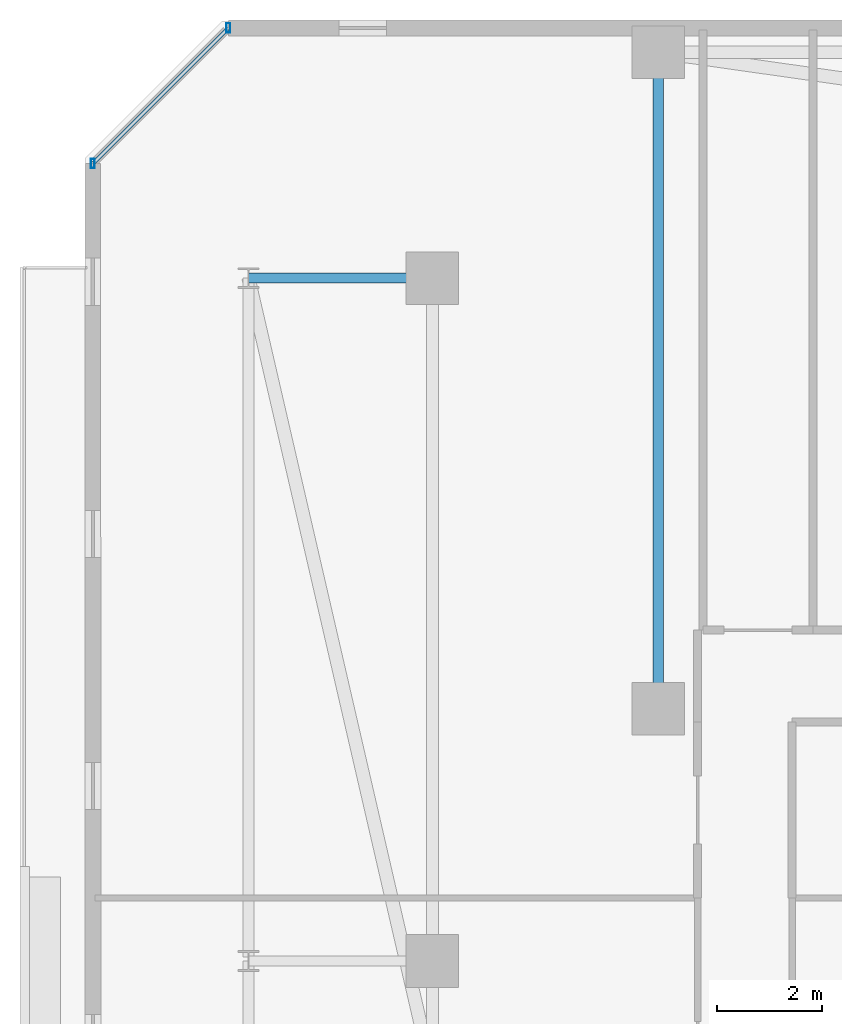
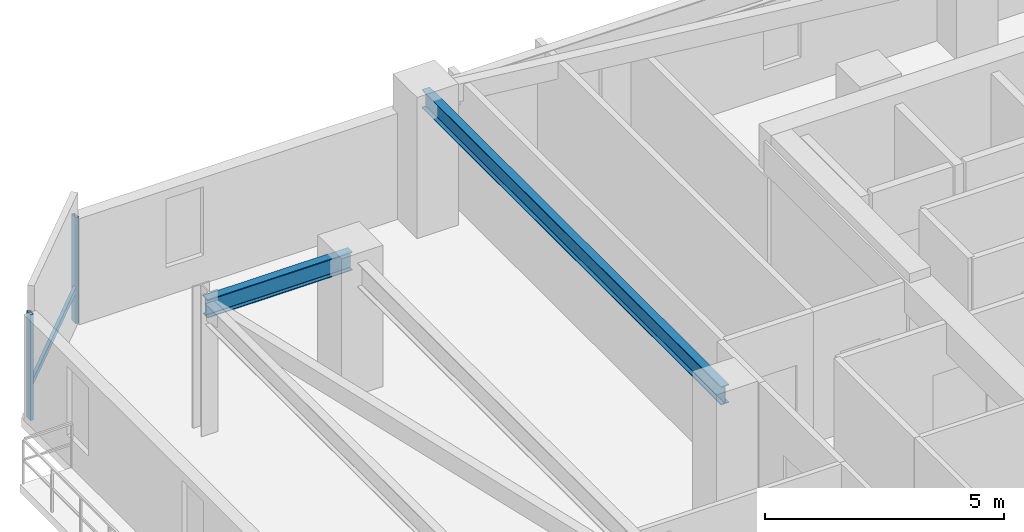
# One storey, part 7 of 32: 3 members, 2 beams, 1 element without a shape of its own.
"""IFC4 building model written with IfcOpenShell, lengths in metres."""

import ifcopenshell
import ifcopenshell.guid

model = None  # the IFC model being written
_history = None  # IfcOwnerHistory: only IFC2X3 demands one
_inside = {}  # id of a spatial element -> (the spatial element, [elements in it])
_under = {}  # id of a project, library or spatial element -> (it, [spatial elements below it])
_declared = {}  # id of a project -> (the project, [libraries it declares])
_typed = {}  # id of a type object -> (the type object, [elements of that type])
_made_of = {}  # id of a material, layer set ... -> (it, [elements and type objects made of it])


def new_model(schema):
    """Start an empty IFC model of exactly this schema.

    Asked for "IFC4X3", IfcOpenShell would pick the latest addendum, in which some entities
    have other attributes; the version numbers below select the first issue.
    IFC2X3 requires an IfcOwnerHistory on every rooted entity: one is made here for all.
    """
    global model, _history
    if schema == "IFC4X3":
        model = ifcopenshell.file(schema_version=(4, 3, 0, 0))
    else:
        model = ifcopenshell.file(schema=schema)
    _inside.clear()
    _under.clear()
    _declared.clear()
    _typed.clear()
    _made_of.clear()
    _history = None
    if model.schema == "IFC2X3":
        org = make("IfcOrganization", Name="unknown")
        user = make(
            "IfcPersonAndOrganization",
            ThePerson=make("IfcPerson", FamilyName="unknown"),
            TheOrganization=org,
        )
        app = make(
            "IfcApplication",
            ApplicationDeveloper=org,
            Version="unknown",
            ApplicationFullName="unknown",
            ApplicationIdentifier="unknown",
        )
        _history = make(
            "IfcOwnerHistory",
            OwningUser=user,
            OwningApplication=app,
            ChangeAction="ADDED",
            CreationDate=0,
        )
    return model


def make(cls, **values):
    """One entity of the class cls with the attributes given. An attribute that is None is left unset."""
    return model.create_entity(
        cls, **{name: value for name, value in values.items() if value is not None}
    )


def rooted(cls, **values):
    """An entity with a GlobalId (a new one), such as an element, a storey or a relation."""
    return make(cls, GlobalId=ifcopenshell.guid.new(), OwnerHistory=_history, **values)


def si_unit(unit_type, name, prefix=None):
    """IfcSIUnit, for example si_unit("LENGTHUNIT", "METRE", prefix="MILLI")."""
    return make("IfcSIUnit", UnitType=unit_type, Prefix=prefix, Name=name)


def assignment(units):
    """IfcUnitAssignment: the units of a project."""
    return None if units is None else make("IfcUnitAssignment", Units=units)


def point(xyz):
    """IfcCartesianPoint."""
    return None if xyz is None else make("IfcCartesianPoint", Coordinates=xyz)


def direction(xyz):
    """IfcDirection."""
    return None if xyz is None else make("IfcDirection", DirectionRatios=xyz)


def frame(location, z_axis=None, x_axis=None):
    """IfcAxis2Placement3D, a coordinate frame: its origin and axes. An axis left out is left unset."""
    return make(
        "IfcAxis2Placement3D",
        Location=point(location),
        Axis=direction(z_axis),
        RefDirection=direction(x_axis),
    )


def frame_2d(location, x_axis=None):
    """IfcAxis2Placement2D, a coordinate frame in the plane: its origin and x axis."""
    return make(
        "IfcAxis2Placement2D", Location=point(location), RefDirection=direction(x_axis)
    )


def origin():
    """The frame at (0, 0, 0) with its axes left unset."""
    return frame((0.0, 0.0, 0.0))


def origin_2d():
    """The frame at (0, 0) in the plane with its x axis left unset."""
    return frame_2d((0.0, 0.0))


def place(relative_to, where):
    """IfcLocalPlacement: puts the frame where relative to a parent placement (None: the world)."""
    return make(
        "IfcLocalPlacement", PlacementRelTo=relative_to, RelativePlacement=where
    )


def context(
    kind, dimensions, precision=None, world=None, true_north=None, identifier=None
):
    """IfcGeometricRepresentationContext, for example the 3D "Model" context."""
    return make(
        "IfcGeometricRepresentationContext",
        ContextIdentifier=identifier,
        ContextType=kind,
        CoordinateSpaceDimension=dimensions,
        Precision=precision,
        WorldCoordinateSystem=world,
        TrueNorth=true_north,
    )


def subcontext(parent, identifier, kind, view, scale=None):
    """IfcGeometricRepresentationSubContext, for example "Body" below "Model"."""
    return make(
        "IfcGeometricRepresentationSubContext",
        ContextIdentifier=identifier,
        ContextType=kind,
        ParentContext=parent,
        TargetScale=scale,
        TargetView=view,
    )


def project(units=None, contexts=None):
    """IfcProject with its units and contexts."""
    return rooted(
        "IfcProject",
        Name="project",
        RepresentationContexts=contexts,
        UnitsInContext=assignment(units),
    )


def spatial(cls, under=None, at=None, **own):
    """A site, building, storey or space (cls), placed at a placement, below another one or the project."""
    s = rooted(cls, ObjectPlacement=at, **own)
    if under is not None:
        _under.setdefault(under.id(), (under, []))[1].append(s)
    return s


def profile(cls, at=None, kind="AREA", **sizes):
    """A parametric profile (cls). Its sizes go by their IFC names, for example OverallWidth=200.0."""
    return make(cls, ProfileType=kind, Position=at, **sizes)


def hollow_rectangle(**sizes):
    """IfcRectangleHollowProfileDef."""
    return profile("IfcRectangleHollowProfileDef", **sizes)


def i_section(**sizes):
    """IfcIShapeProfileDef."""
    return profile("IfcIShapeProfileDef", **sizes)


def extrude(swept, where, along, depth):
    """IfcExtrudedAreaSolid: the profile swept, set in the frame where, extruded along a direction by depth."""
    return make(
        "IfcExtrudedAreaSolid",
        SweptArea=swept,
        Position=where,
        ExtrudedDirection=direction(along),
        Depth=depth,
    )


def shape(context_of_items, identifier, shape_type, items):
    """IfcShapeRepresentation: the items that make up one representation, for example the "Body"."""
    return make(
        "IfcShapeRepresentation",
        ContextOfItems=context_of_items,
        RepresentationIdentifier=identifier,
        RepresentationType=shape_type,
        Items=items,
    )


def material(Name=None, Category=None):
    """IfcMaterial."""
    return make("IfcMaterial", Name=Name, Category=Category)


def material_profile(
    of_material, cross_section, Name=None, Category=None, Priority=None
):
    """IfcMaterialProfile: a cross section and its material."""
    return make(
        "IfcMaterialProfile",
        Name=Name,
        Material=of_material,
        Profile=cross_section,
        Priority=Priority,
        Category=Category,
    )


def profile_set(profiles, Name=None, composite=None):
    """IfcMaterialProfileSet."""
    return make(
        "IfcMaterialProfileSet",
        Name=Name,
        MaterialProfiles=profiles,
        CompositeProfile=composite,
    )


def made_of(thing, what):
    """Note that an element or type object is made of a material, layer set ...; save() writes the relation."""
    if what is not None:
        _made_of.setdefault(what.id(), (what, []))[1].append(thing)
    return thing


def type_object(cls, material=None, **own):
    """A type object (cls), such as IfcWallType, which elements share."""
    return made_of(rooted(cls, **own), material)


def element(
    cls,
    number,
    at=None,
    inside=None,
    cuts=None,
    type_object=None,
    material=None,
    context=None,
    identifier="Body",
    shape_type=None,
    held_by="IfcProductDefinitionShape",
    body=None,
    shapes=None,
    **own,
):
    """One element of the class cls, such as IfcWall. Its Tag is "e" and its number.

    at: its placement. inside: the storey or other place that contains it. cuts: it is an
    opening in that element (IfcRelVoidsElement). A single representation is given by context,
    identifier, shape_type and body (its items); several are given by shapes. held_by: the class
    of the entity that holds the representations. save() writes the other relations.
    """
    e = rooted(cls, Tag="e%d" % number, ObjectPlacement=at, **own)
    if body is not None:
        shapes = [shape(context, identifier, shape_type, body)]
    if shapes is not None:
        e.Representation = make(held_by, Representations=shapes)
    if inside is not None:
        _inside.setdefault(inside.id(), (inside, []))[1].append(e)
    if cuts is not None:
        rooted(
            "IfcRelVoidsElement", RelatingBuildingElement=cuts, RelatedOpeningElement=e
        )
    if type_object is not None:
        _typed.setdefault(type_object.id(), (type_object, []))[1].append(e)
    return made_of(e, material)


def aggregate(whole, parts):
    """IfcRelAggregates: a whole, such as a stair, and the parts it consists of."""
    return rooted("IfcRelAggregates", RelatingObject=whole, RelatedObjects=parts)


def save(model, path):
    """Write the relations noted so far, then the file.

    IfcRelAggregates (storeys below a building ...), IfcRelContainedInSpatialStructure (elements
    in a storey), IfcRelDefinesByType, IfcRelAssociatesMaterial and IfcRelDeclares: one each for
    every whole, place, type object, material and project.
    """
    for whole, parts in _under.values():
        aggregate(whole, parts)
    for where, things in _inside.values():
        rooted(
            "IfcRelContainedInSpatialStructure",
            RelatedElements=things,
            RelatingStructure=where,
        )
    for kind, things in _typed.values():
        rooted("IfcRelDefinesByType", RelatedObjects=things, RelatingType=kind)
    for what, things in _made_of.values():
        rooted("IfcRelAssociatesMaterial", RelatedObjects=things, RelatingMaterial=what)
    for by, libraries in _declared.values():
        rooted("IfcRelDeclares", RelatingContext=by, RelatedDefinitions=libraries)
    model.write(path)


model = new_model("IFC4")

# Units and contexts
model_context = context("Model", 3, precision=1e-05, world=origin(), true_north=direction((0.0, 1.0)))
body_context = subcontext(model_context, "Body", "Model", "MODEL_VIEW")
ifc_project = project(units=[si_unit("LENGTHUNIT", "METRE"), si_unit("AREAUNIT", "SQUARE_METRE"), si_unit("VOLUMEUNIT", "CUBIC_METRE"), si_unit("PLANEANGLEUNIT", "RADIAN"), si_unit("MASSUNIT", "GRAM", prefix="KILO")], contexts=[model_context])

# Site, building, storey
site_placement = place(None, origin())
site = spatial("IfcSite", under=ifc_project, at=site_placement, CompositionType="ELEMENT")
building_placement = place(site_placement, origin())
building = spatial("IfcBuilding", under=site, at=building_placement, Name="Thornwick Lancets Civic Towers", CompositionType="ELEMENT")
storey_placement = place(building_placement, frame((0.0, 0.0, 240.300048828125)))
storey = spatial("IfcBuildingStorey", under=building, at=storey_placement, Name="L64", CompositionType="ELEMENT", Elevation=240.300048828125)

# Beams
ifc_material_1 = material(Name="Steel S355JR", Category="steel")
ifc_material_profile_1 = material_profile(ifc_material_1, i_section(OverallWidth=0.19287109375, OverallDepth=0.46728515625, WebThickness=0.011474609375, FlangeThickness=0.01953125, FilletRadius=0.01025390625, at=origin_2d()), Name="UKB 457x191x98")
ifc_profile_set_1 = profile_set([ifc_material_profile_1], Name="Steel S355JR")
beam_type = type_object("IfcBeamType", Name="BM_JOIST_457_98", PredefinedType="JOIST", material=ifc_profile_set_1)
beam_1_placement = place(storey_placement, frame((12.5, 31.800048828125, 3.12646484375), z_axis=(0.0, 1.0, 0.0), x_axis=(-1.0, 0.0, 0.0)))
element("IfcBeam", 1, at=beam_1_placement, inside=storey, type_object=beam_type, Name="BM-RADIN-L64-A07", PredefinedType="JOIST", context=body_context, shape_type="SweptSolid", body=[
    extrude(i_section(OverallWidth=0.19287109375, OverallDepth=0.46728515625, WebThickness=0.011474609375, FlangeThickness=0.01953125, FilletRadius=0.01025390625, at=origin_2d()), origin(), (0.0, 0.0, 1.0), 12.5),
])
beam_2_placement = place(storey_placement, frame((8.199951171875, 40.0, 3.12646484375), z_axis=(-1.0, 0.0, 0.0), x_axis=(0.0, -1.0, 0.0)))
element("IfcBeam", 2, at=beam_2_placement, inside=storey, type_object=beam_type, Name="BM-RAD-L64-A12", PredefinedType="JOIST", context=body_context, shape_type="SweptSolid", body=[
    extrude(i_section(OverallWidth=0.19287109375, OverallDepth=0.46728515625, WebThickness=0.011474609375, FlangeThickness=0.01953125, FilletRadius=0.01025390625, at=origin_2d()), origin(), (0.0, 0.0, 1.0), 3.5),
])

# Curtain wall, members
ifc_material_2 = material(Name="High-zone chamfered-corner unitised glass curtain wall", Category="glass")
curtain_wall_type = type_object("IfcCurtainWallType", Name="CW_SYS_05", PredefinedType="NOTDEFINED", material=ifc_material_2)
curtain_wall_placement = place(storey_placement, origin())
curtain_wall = element("IfcCurtainWall", 3, at=curtain_wall_placement, inside=storey, type_object=curtain_wall_type, Name="L64 Curtain Wall CW-L64-A-E5", PredefinedType="NOTDEFINED")
ifc_material_3 = material(Name="Thermally broken bronze aluminium S355", Category="steel")
ifc_material_profile_2 = material_profile(ifc_material_3, hollow_rectangle(XDim=0.074951171875, YDim=0.179931640625, WallThickness=0.006103515625, at=origin_2d()), Name="RHS 180x75x6")
ifc_profile_set_2 = profile_set([ifc_material_profile_2], Name="Thermally broken bronze aluminium S355")
member_type_1 = type_object("IfcMemberType", Name="CW_MUL_180", PredefinedType="MULLION", material=ifc_profile_set_2)
member_1_placement = place(storey_placement, frame((4.318603515625, 44.7646484375, 0.0), z_axis=(0.0, 0.0, 1.0), x_axis=(1.0, 0.0, 0.0)))
member_1 = element("IfcMember", 4, at=member_1_placement, type_object=member_type_1, Name="CW-L64-A-E5 Mullion 0", PredefinedType="MULLION", context=body_context, shape_type="SweptSolid", body=[
    extrude(hollow_rectangle(XDim=0.074951171875, YDim=0.179931640625, WallThickness=0.006103515625, at=origin_2d()), origin(), (0.0, 0.0, 1.0), 2.699951171875),
])
member_2_placement = place(storey_placement, frame((1.7353515625, 42.181396484375, 0.0), z_axis=(0.0, 0.0, 1.0), x_axis=(1.0, 0.0, 0.0)))
member_2 = element("IfcMember", 5, at=member_2_placement, type_object=member_type_1, Name="CW-L64-A-E5 Mullion 1", PredefinedType="MULLION", context=body_context, shape_type="SweptSolid", body=[
    extrude(hollow_rectangle(XDim=0.074951171875, YDim=0.179931640625, WallThickness=0.006103515625, at=origin_2d()), origin(), (0.0, 0.0, 1.0), 2.699951171875),
])
ifc_material_profile_3 = material_profile(ifc_material_3, hollow_rectangle(XDim=0.074951171875, YDim=0.14990234375, WallThickness=0.0048828125, at=origin_2d()), Name="RHS 150x75x5")
ifc_profile_set_3 = profile_set([ifc_material_profile_3], Name="Thermally broken bronze aluminium S355")
member_type_2 = type_object("IfcMemberType", Name="CW_TRN_150", PredefinedType="USERDEFINED", material=ifc_profile_set_3)
member_3_placement = place(storey_placement, frame((4.304443359375, 44.75048828125, 0.849853515625), z_axis=(-0.707106781187, -0.707106781187, 0.0), x_axis=(0.707106781187, -0.707106781187, 0.0)))
member_3 = element("IfcMember", 6, at=member_3_placement, type_object=member_type_2, Name="CW-L64-A-E5 Transom 0", ObjectType="TRANSOM", PredefinedType="USERDEFINED", context=body_context, shape_type="SweptSolid", body=[
    extrude(hollow_rectangle(XDim=0.074951171875, YDim=0.14990234375, WallThickness=0.0048828125, at=origin_2d()), origin(), (0.0, 0.0, 1.0), 3.61328125),
])
aggregate(curtain_wall, [member_1, member_2, member_3])

save(model, "model.ifc")
